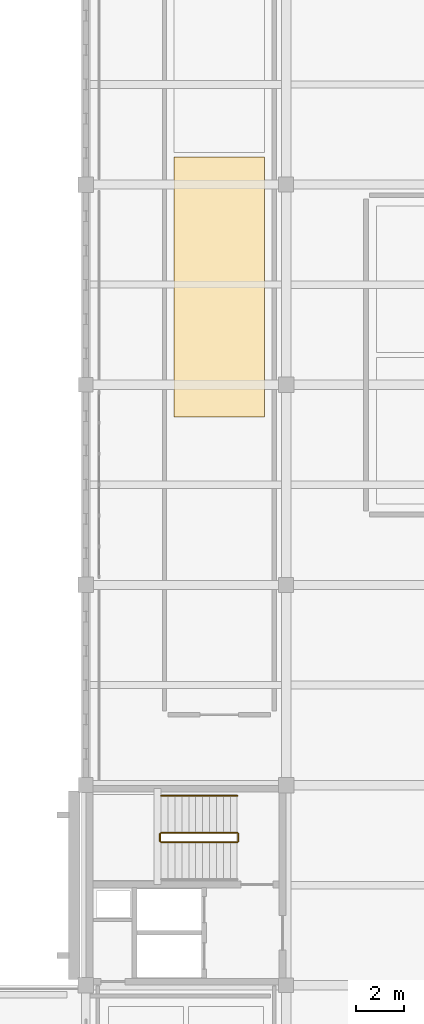
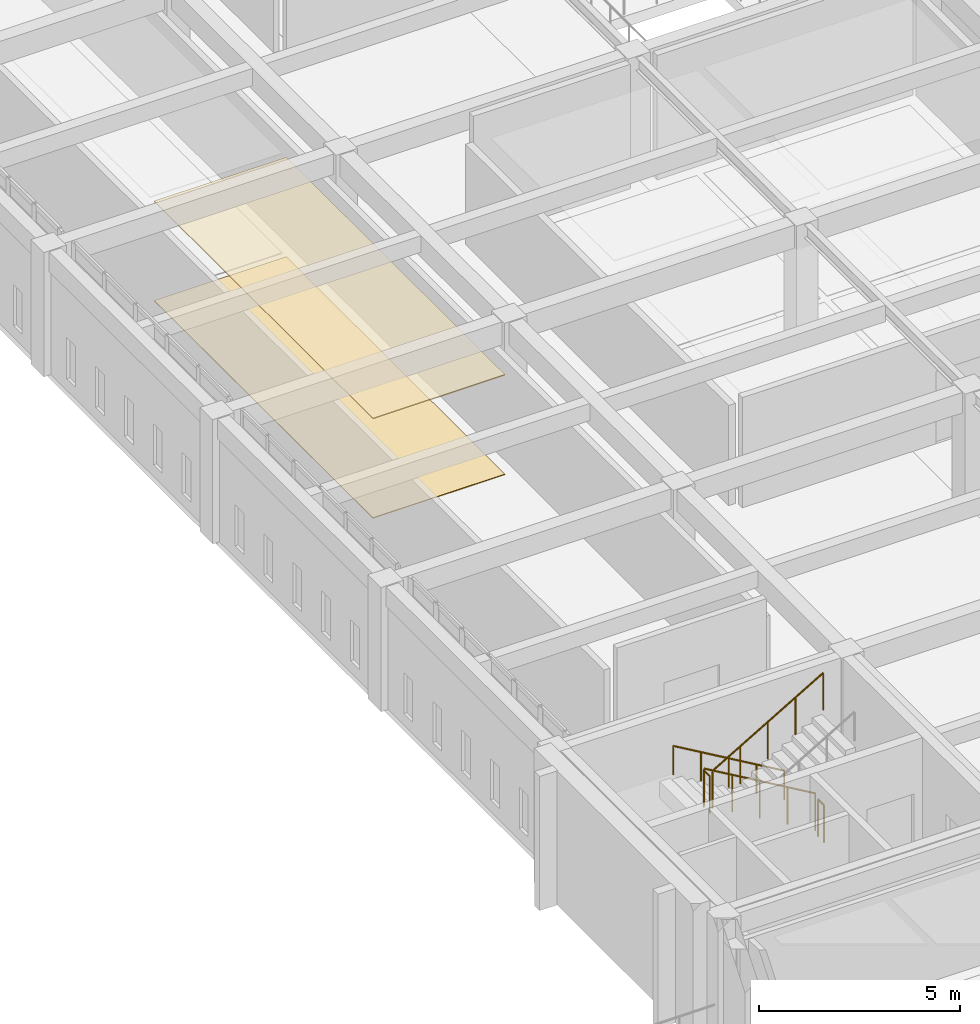
# One storey, part 42 of 47: 5 railings, 2 coverings.
"""IFC4 building model written with IfcOpenShell, lengths in metres."""

from ifc_helpers import new_model, si_unit, direction, frame, origin, origin_2d, place, context, subcontext, project, spatial, rectangle, circle, extrude, material, layer, layer_set, type_object, element, save


model = new_model("IFC4")

# Units and contexts
model_context = context("Model", 3, precision=1e-05, world=origin(), true_north=direction((0.0, 1.0)))
body_context = subcontext(model_context, "Body", "Model", "MODEL_VIEW")
ifc_project = project(units=[si_unit("LENGTHUNIT", "METRE"), si_unit("AREAUNIT", "SQUARE_METRE"), si_unit("VOLUMEUNIT", "CUBIC_METRE"), si_unit("PLANEANGLEUNIT", "RADIAN"), si_unit("MASSUNIT", "GRAM", prefix="KILO")], contexts=[model_context])

# Site, building, storey
site_placement = place(None, origin())
site = spatial("IfcSite", under=ifc_project, at=site_placement, CompositionType="ELEMENT")
building_placement = place(site_placement, origin())
building = spatial("IfcBuilding", under=site, at=building_placement, Name="Kveldsbrygga Polytechnic", CompositionType="ELEMENT")
storey_placement = place(building_placement, frame((0.0, 0.0, 13.93994140625)))
storey = spatial("IfcBuildingStorey", under=building, at=storey_placement, Name="L03", CompositionType="ELEMENT", Elevation=13.93994140625)

# Coverings
ifc_material_1 = material(Name="Acoustic mineral baffle ceiling")
ifc_layer_1 = layer(ifc_material_1, 0.030029296875)
ifc_layer_set_1 = layer_set([ifc_layer_1], Name="Acoustic mineral baffle ceiling")
covering_type_1 = type_object("IfcCoveringType", Name="COV-CEIL-AC30", PredefinedType="CEILING", material=ifc_layer_set_1)
covering_1_placement = place(storey_placement, frame((131.60009765625, 54.5, 3.02001953125), z_axis=(0.0, 0.0, 1.0), x_axis=(1.0, 0.0, 0.0)))
element("IfcCovering", 1, at=covering_1_placement, inside=storey, type_object=covering_type_1, Name="Acoustic Ceiling SP-L03-COM1-S", PredefinedType="CEILING", context=body_context, shape_type="SweptSolid", body=[
    extrude(rectangle(XDim=3.800048828125, YDim=10.89990234375, at=origin_2d()), origin(), (0.0, 0.0, 1.0), 0.030029296875),
])
ifc_material_2 = material(Name="Acoustic oak timber flooring", Category="wood")
ifc_layer_2 = layer(ifc_material_2, 0.02197265625)
ifc_layer_set_2 = layer_set([ifc_layer_2], Name="Acoustic oak timber flooring")
covering_type_2 = type_object("IfcCoveringType", Name="COV-FLR-OAK22", PredefinedType="FLOORING", material=ifc_layer_set_2)
covering_2_placement = place(storey_placement, frame((131.60009765625, 54.5, 0.0), z_axis=(0.0, 0.0, 1.0), x_axis=(1.0, 0.0, 0.0)))
element("IfcCovering", 2, at=covering_2_placement, inside=storey, type_object=covering_type_2, Name="Room Flooring SP-L03-COM1-S", PredefinedType="FLOORING", context=body_context, shape_type="SweptSolid", body=[
    extrude(rectangle(XDim=3.800048828125, YDim=10.89990234375, at=origin_2d()), origin(), (0.0, 0.0, 1.0), 0.02197265625),
])

# Railings
ifc_material_3 = material(Name="Steel S355", Category="steel")
railing_type_1 = type_object("IfcRailingType", Name="RL-STAIR-GRD", PredefinedType="GUARDRAIL", material=ifc_material_3)
railing_1_placement = place(storey_placement, frame((132.35009765625, 31.60009765625, 0.170166015625)))
element("IfcRailing", 3, at=railing_1_placement, inside=storey, type_object=railing_type_1, Name="L03 ST-1 stair guard 1", PredefinedType="GUARDRAIL", context=body_context, shape_type="SweptSolid", body=[
    extrude(circle(Radius=0.02392578125, at=origin_2d()), frame((0.0, 0.0, 1.1259765625), z_axis=(-0.862725780356, 0.0, 0.505672055693), x_axis=(0.0, -1.0, 0.0)), (0.0, 0.0, 1.0), 3.69775390625),
    extrude(circle(Radius=0.02099609375, at=origin_2d()), origin(), (0.0, 0.0, 1.0), 1.097900390625),
    extrude(circle(Radius=0.02099609375, at=origin_2d()), frame((-0.797607421875, 0.0, 0.467529296875)), (0.0, 0.0, 1.0), 1.097900390625),
    extrude(circle(Radius=0.02099609375, at=origin_2d()), frame((-1.59521484375, 0.0, 0.93505859375)), (0.0, 0.0, 1.0), 1.097900390625),
    extrude(circle(Radius=0.02099609375, at=origin_2d()), frame((-2.392578125, 0.0, 1.40234375)), (0.0, 0.0, 1.0), 1.097900390625),
    extrude(circle(Radius=0.02099609375, at=origin_2d()), frame((-3.190185546875, 0.0, 1.869873046875)), (0.0, 0.0, 1.0), 1.097900390625),
])
railing_2_placement = place(storey_placement, frame((129.110107421875, 31.550048828125, 2.0400390625)))
element("IfcRailing", 4, at=railing_2_placement, inside=storey, type_object=railing_type_1, Name="L03 ST-1 stair guard 2", PredefinedType="GUARDRAIL", context=body_context, shape_type="SweptSolid", body=[
    extrude(circle(Radius=0.02392578125, at=origin_2d()), frame((0.0, 0.0, 1.1259765625), z_axis=(0.0, -1.0, 0.0), x_axis=(1.0, 0.0, 0.0)), (0.0, 0.0, 1.0), 0.300048828125),
    extrude(circle(Radius=0.02099609375, at=origin_2d()), origin(), (0.0, 0.0, 1.0), 1.097900390625),
    extrude(circle(Radius=0.02099609375, at=origin_2d()), frame((0.0, -0.300048828125, 0.0)), (0.0, 0.0, 1.0), 1.097900390625),
])
railing_3_placement = place(storey_placement, frame((129.159912109375, 31.199951171875, 2.2099609375)))
element("IfcRailing", 5, at=railing_3_placement, inside=storey, type_object=railing_type_1, Name="L03 ST-1 stair guard 3", PredefinedType="GUARDRAIL", context=body_context, shape_type="SweptSolid", body=[
    extrude(circle(Radius=0.02392578125, at=origin_2d()), frame((0.0, 0.0, 1.1259765625), z_axis=(0.862696976859, 0.0, 0.505721194057), x_axis=(0.0, 1.0, 0.0)), (0.0, 0.0, 1.0), 3.697998046875),
    extrude(circle(Radius=0.02099609375, at=origin_2d()), origin(), (0.0, 0.0, 1.0), 1.097900390625),
    extrude(circle(Radius=0.02099609375, at=origin_2d()), frame((0.797607421875, 0.0, 0.467529296875)), (0.0, 0.0, 1.0), 1.097900390625),
    extrude(circle(Radius=0.02099609375, at=origin_2d()), frame((1.59521484375, 0.0, 0.93505859375)), (0.0, 0.0, 1.0), 1.097900390625),
    extrude(circle(Radius=0.02099609375, at=origin_2d()), frame((2.392578125, 0.0, 1.402587890625)), (0.0, 0.0, 1.0), 1.097900390625),
    extrude(circle(Radius=0.02099609375, at=origin_2d()), frame((3.190185546875, 0.0, 1.8701171875)), (0.0, 0.0, 1.0), 1.097900390625),
])
railing_4_placement = place(storey_placement, frame((132.39990234375, 31.550048828125, 0.0)))
element("IfcRailing", 6, at=railing_4_placement, inside=storey, type_object=railing_type_1, Name="L03 ST-1 stair guard 4", PredefinedType="GUARDRAIL", context=body_context, shape_type="SweptSolid", body=[
    extrude(circle(Radius=0.02392578125, at=origin_2d()), frame((0.0, 0.0, 1.1259765625), z_axis=(0.0, -1.0, 0.0), x_axis=(1.0, 0.0, 0.0)), (0.0, 0.0, 1.0), 0.300048828125),
    extrude(circle(Radius=0.02099609375, at=origin_2d()), origin(), (0.0, 0.0, 1.0), 1.097900390625),
    extrude(circle(Radius=0.02099609375, at=origin_2d()), frame((0.0, -0.300048828125, 0.0)), (0.0, 0.0, 1.0), 1.097900390625),
])
railing_type_2 = type_object("IfcRailingType", Name="RL-STAIR-HND", PredefinedType="HANDRAIL", material=ifc_material_3)
railing_5_placement = place(storey_placement, frame((132.35009765625, 33.14990234375, 0.170166015625)))
element("IfcRailing", 7, at=railing_5_placement, inside=storey, type_object=railing_type_2, Name="L03 ST-1 stair handrail 1", PredefinedType="HANDRAIL", context=body_context, shape_type="SweptSolid", body=[
    extrude(circle(Radius=0.02392578125, at=origin_2d()), frame((0.0, 0.0, 0.8759765625), z_axis=(-0.862725780356, 0.0, 0.505672055693), x_axis=(0.0, -1.0, 0.0)), (0.0, 0.0, 1.0), 3.69775390625),
    extrude(circle(Radius=0.02099609375, at=origin_2d()), origin(), (0.0, 0.0, 1.0), 0.847900390625),
    extrude(circle(Radius=0.02099609375, at=origin_2d()), frame((-0.797607421875, 0.0, 0.467529296875)), (0.0, 0.0, 1.0), 0.847900390625),
    extrude(circle(Radius=0.02099609375, at=origin_2d()), frame((-1.59521484375, 0.0, 0.93505859375)), (0.0, 0.0, 1.0), 0.847900390625),
    extrude(circle(Radius=0.02099609375, at=origin_2d()), frame((-2.392578125, 0.0, 1.40234375)), (0.0, 0.0, 1.0), 0.847900390625),
    extrude(circle(Radius=0.02099609375, at=origin_2d()), frame((-3.190185546875, 0.0, 1.869873046875)), (0.0, 0.0, 1.0), 0.847900390625),
])

save(model, "model.ifc")
